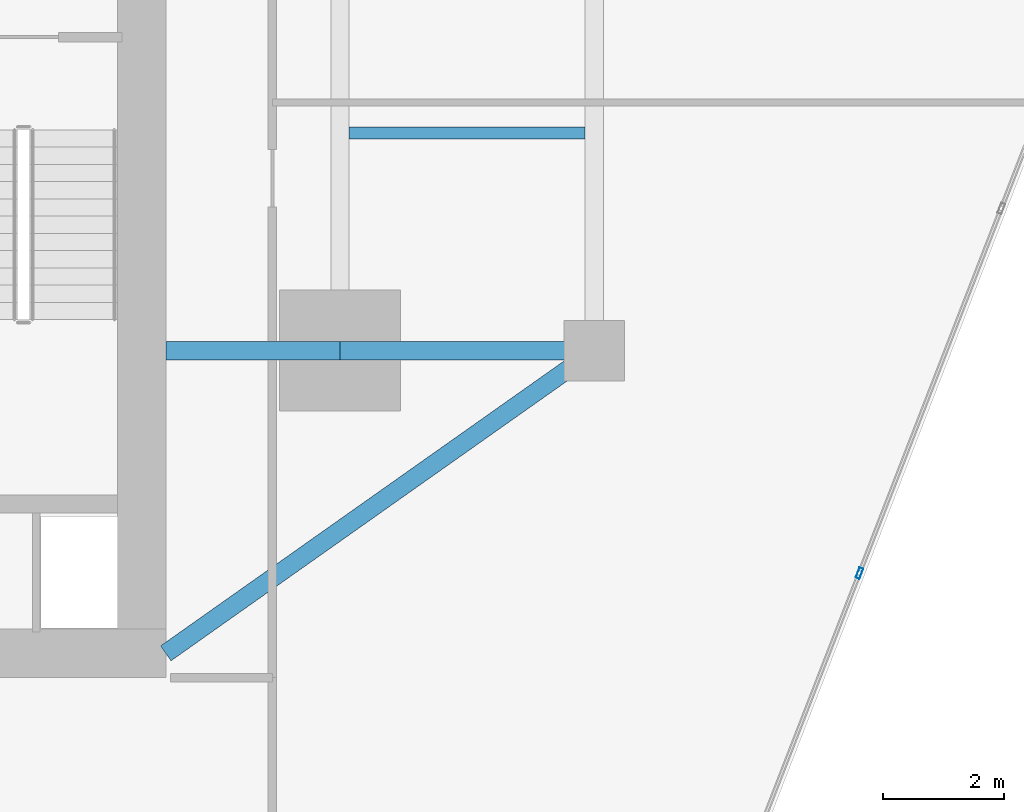
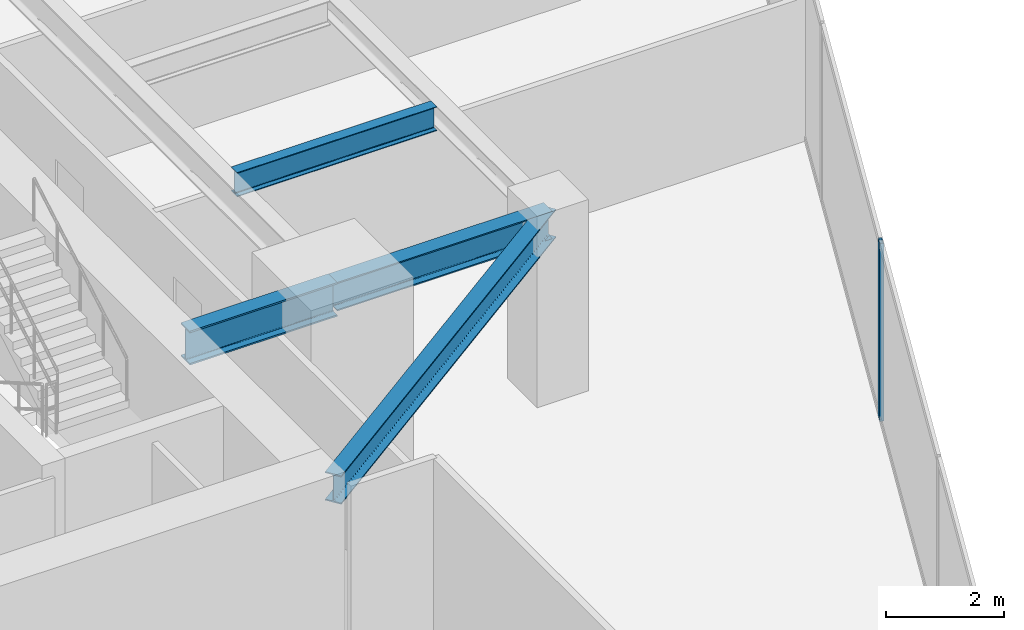
# One storey, part 10 of 26: 4 beams, 1 member, 1 element without a shape of its own.
"""IFC4 building model written with IfcOpenShell, lengths in metres."""

from ifc_helpers import new_model, si_unit, direction, frame, origin, origin_2d, place, context, subcontext, project, spatial, hollow_rectangle, i_section, extrude, source, transform, mapped, material, material_profile, profile_set, type_object, type_shapes, element, aggregate, save


model = new_model("IFC4")

# Units and contexts
model_context = context("Model", 3, precision=1e-05, world=origin(), true_north=direction((0.0, 1.0)))
body_context = subcontext(model_context, "Body", "Model", "MODEL_VIEW")
ifc_project = project(units=[si_unit("LENGTHUNIT", "METRE"), si_unit("AREAUNIT", "SQUARE_METRE"), si_unit("VOLUMEUNIT", "CUBIC_METRE"), si_unit("PLANEANGLEUNIT", "RADIAN"), si_unit("MASSUNIT", "GRAM", prefix="KILO")], contexts=[model_context])

# Site, building, storey
site_placement = place(None, origin())
site = spatial("IfcSite", under=ifc_project, at=site_placement, CompositionType="ELEMENT")
building_placement = place(site_placement, origin())
building = spatial("IfcBuilding", under=site, at=building_placement, Name="Krantzveldt Concourse Tower", CompositionType="ELEMENT")
storey_placement = place(building_placement, frame((0.0, 0.0, 129.550048828125)))
storey = spatial("IfcBuildingStorey", under=building, at=storey_placement, Name="L31", CompositionType="ELEMENT", Elevation=129.550048828125)

# Beams
ifc_material_1 = material(Name="Steel S355J2", Category="steel")
ifc_material_profile_1 = material_profile(ifc_material_1, i_section(OverallWidth=0.300048828125, OverallDepth=0.699951171875, WebThickness=0.01708984375, FlangeThickness=0.031982421875, FilletRadius=0.027099609375, at=origin_2d()), Name="Steel S355J2", Category="steel")
ifc_profile_set_1 = profile_set([ifc_material_profile_1], Name="Steel S355J2 - HEB 700")
beam_type_1 = type_object("IfcBeamType", Name="BM-B-HEB700", PredefinedType="BEAM", material=ifc_profile_set_1)
shared_shape_1 = source(origin(), body_context, "Body", "SweptSolid", [
    extrude(i_section(OverallWidth=0.300048828125, OverallDepth=0.699951171875, WebThickness=0.01708984375, FlangeThickness=0.031982421875, FilletRadius=0.027099609375, at=origin_2d()), origin(), (0.0, 0.0, 1.0), 2.880126953125),
])
type_shapes(beam_type_1, [shared_shape_1])
beam_1_placement = place(storey_placement, frame((43.919921875, 15.89990234375, 3.320068359375), z_axis=(1.0, 0.0, 0.0), x_axis=(0.0, 1.0, 0.0)))
element("IfcBeam", 1, at=beam_1_placement, inside=storey, type_object=beam_type_1, Name="L31 Tower Girder BG-CE1", PredefinedType="BEAM", context=body_context, shape_type="MappedRepresentation", body=[
    mapped(shared_shape_1, transform((0.0, 0.0, 0.0), x_axis=(1.0, 0.0, 0.0), y_axis=(0.0, 1.0, 0.0), z_axis=(0.0, 0.0, 1.0), scale=1.0)),
])
ifc_material_2 = material(Name="Steel S355JR", Category="steel")
ifc_material_profile_2 = material_profile(ifc_material_2, i_section(OverallWidth=0.300048828125, OverallDepth=0.590087890625, WebThickness=0.012939453125, FlangeThickness=0.02490234375, FilletRadius=0.027099609375, at=origin_2d()), Name="Steel S355JR", Category="steel")
ifc_profile_set_2 = profile_set([ifc_material_profile_2], Name="Steel S355JR - HEA 600")
beam_type_2 = type_object("IfcBeamType", Name="BM-B-HEA600", PredefinedType="BEAM", material=ifc_profile_set_2)
shared_shape_2 = source(origin(), body_context, "Body", "SweptSolid", [
    extrude(i_section(OverallWidth=0.300048828125, OverallDepth=0.590087890625, WebThickness=0.012939453125, FlangeThickness=0.02490234375, FilletRadius=0.027099609375, at=origin_2d()), origin(), (0.0, 0.0, 1.0), 4.199951171875),
])
beam_2_placement = place(storey_placement, frame((46.800048828125, 15.89990234375, 3.375), z_axis=(1.0, 0.0, 0.0), x_axis=(0.0, 1.0, 0.0)))
element("IfcBeam", 2, at=beam_2_placement, inside=storey, type_object=beam_type_2, Name="L31 Tower Girder BR-RR1", PredefinedType="BEAM", context=body_context, shape_type="MappedRepresentation", body=[
    mapped(shared_shape_2, transform((0.0, 0.0, 0.0), x_axis=(1.0, 0.0, 0.0), y_axis=(0.0, 1.0, 0.0), z_axis=(0.0, 0.0, 1.0), scale=1.0)),
])
shared_shape_3 = source(origin(), body_context, "Body", "SweptSolid", [
    extrude(i_section(OverallWidth=0.300048828125, OverallDepth=0.590087890625, WebThickness=0.012939453125, FlangeThickness=0.02490234375, FilletRadius=0.027099609375, at=origin_2d()), origin(), (0.0, 0.0, 1.0), 8.667724609375),
])
type_shapes(beam_type_2, [shared_shape_2, shared_shape_3])
beam_3_placement = place(storey_placement, frame((51.0, 15.89990234375, 3.375), z_axis=(-0.81684294656, -0.576860122261, 0.0), x_axis=(0.576860122261, -0.81684294656, 0.0)))
element("IfcBeam", 3, at=beam_3_placement, inside=storey, type_object=beam_type_2, Name="L31 Tower Girder BR-CSE", PredefinedType="BEAM", context=body_context, shape_type="MappedRepresentation", body=[
    mapped(shared_shape_3, transform((0.0, 0.0, 0.0), x_axis=(1.0, 0.0, 0.0), y_axis=(0.0, 1.0, 0.0), z_axis=(0.0, 0.0, 1.0), scale=1.0)),
])
ifc_material_profile_3 = material_profile(ifc_material_2, i_section(OverallWidth=0.199951171875, OverallDepth=0.5, WebThickness=0.01025390625, FlangeThickness=0.01611328125, FilletRadius=0.02099609375, at=origin_2d()), Name="Steel S355JR", Category="steel")
ifc_profile_set_3 = profile_set([ifc_material_profile_3], Name="Steel S355JR - IPE 500")
beam_type_3 = type_object("IfcBeamType", Name="BM-J-IPE500", PredefinedType="JOIST", material=ifc_profile_set_3)
shared_shape_4 = source(origin(), body_context, "Body", "SweptSolid", [
    extrude(i_section(OverallWidth=0.199951171875, OverallDepth=0.5, WebThickness=0.01025390625, FlangeThickness=0.01611328125, FilletRadius=0.02099609375, at=origin_2d()), origin(), (0.0, 0.0, 1.0), 3.900146484375),
])
type_shapes(beam_type_3, [shared_shape_4])
beam_4_placement = place(storey_placement, frame((46.949951171875, 19.5, 3.419921875), z_axis=(1.0, 0.0, 0.0), x_axis=(0.0, 1.0, 0.0)))
element("IfcBeam", 4, at=beam_4_placement, inside=storey, type_object=beam_type_3, Name="L31 Secondary Floor Joist JE-1", PredefinedType="JOIST", context=body_context, shape_type="MappedRepresentation", body=[
    mapped(shared_shape_4, transform((0.0, 0.0, 0.0), x_axis=(1.0, 0.0, 0.0), y_axis=(0.0, 1.0, 0.0), z_axis=(0.0, 0.0, 1.0), scale=1.0)),
])

# Curtain wall, member
ifc_material_3 = material(Name="Anodised aluminium 6063-T6", Category="aluminium")
curtain_wall_type = type_object("IfcCurtainWallType", Name="CW2", PredefinedType="USERDEFINED", material=ifc_material_3)
curtain_wall_placement = place(storey_placement, origin())
curtain_wall = element("IfcCurtainWall", 5, at=curtain_wall_placement, inside=storey, type_object=curtain_wall_type, Name="CW-L31-F11", ObjectType="UNITISED CURTAIN WALL", PredefinedType="USERDEFINED")
ifc_material_profile_4 = material_profile(ifc_material_3, hollow_rectangle(XDim=0.070068359375, YDim=0.179931640625, WallThickness=0.0048828125, at=origin_2d()), Name="Anodised aluminium 6063-T6", Category="aluminium")
ifc_profile_set_4 = profile_set([ifc_material_profile_4], Name="Anodised aluminium 6063-T6 - ALU-MULL 180x70x5")
member_type = type_object("IfcMemberType", Name="CW-MUL-180", PredefinedType="MULLION", material=ifc_profile_set_4)
shared_shape_5 = source(origin(), body_context, "Body", "SweptSolid", [
    extrude(hollow_rectangle(XDim=0.070068359375, YDim=0.179931640625, WallThickness=0.0048828125, at=origin_2d()), origin(), (0.0, 0.0, 1.0), 3.669921875),
])
type_shapes(member_type, [shared_shape_5])
member_placement = place(storey_placement, frame((55.38134765625, 12.224609375, 0.0), z_axis=(0.0, 0.0, 1.0), x_axis=(-0.93200790248, 0.362437952917, 0.0)))
member = element("IfcMember", 6, at=member_placement, type_object=member_type, Name="CW-Z12 mullion 3", PredefinedType="MULLION", context=body_context, shape_type="MappedRepresentation", body=[
    mapped(shared_shape_5, transform((0.0, 0.0, 0.0), x_axis=(1.0, 0.0, 0.0), y_axis=(0.0, 1.0, 0.0), z_axis=(0.0, 0.0, 1.0), scale=1.0)),
])
aggregate(curtain_wall, [member])

save(model, "model.ifc")
